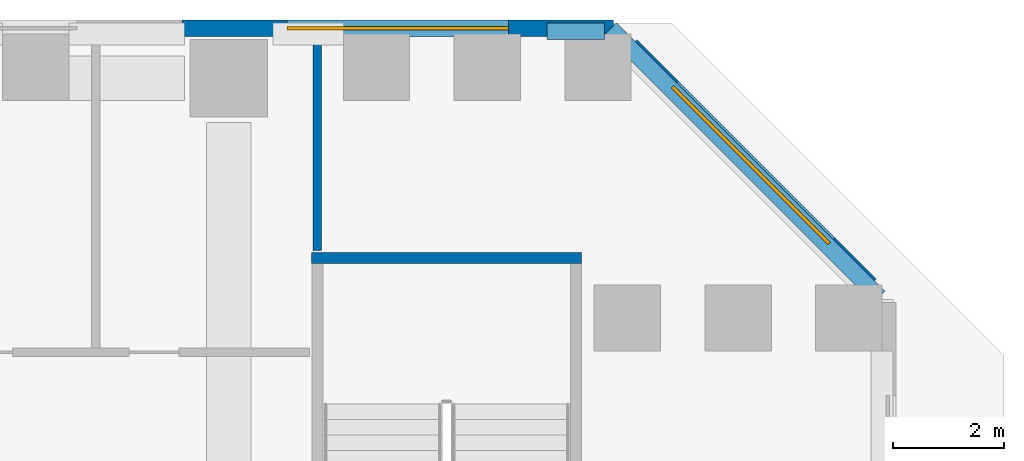
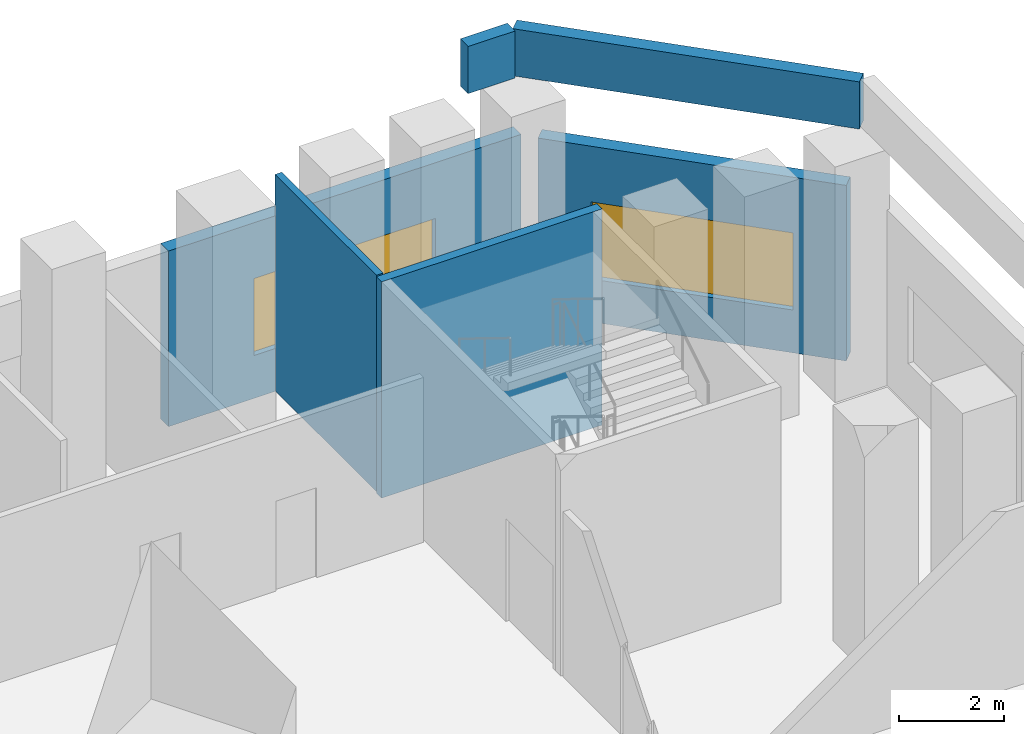
# One storey, part 12 of 22: 6 walls, 2 windows, 2 openings.
"""IFC4 building model written with IfcOpenShell, lengths in metres."""

from ifc_helpers import new_model, si_unit, direction, frame, frame_2d, origin, place, context, subcontext, project, spatial, rectangle, extrude, material, layer, layer_set, type_object, element, fill, save


model = new_model("IFC4")

# Units and contexts
model_context = context("Model", 3, precision=1e-05, world=origin(), true_north=direction((0.0, 1.0)))
body_context = subcontext(model_context, "Body", "Model", "MODEL_VIEW")
ifc_project = project(units=[si_unit("LENGTHUNIT", "METRE"), si_unit("AREAUNIT", "SQUARE_METRE"), si_unit("VOLUMEUNIT", "CUBIC_METRE"), si_unit("PLANEANGLEUNIT", "RADIAN"), si_unit("MASSUNIT", "GRAM", prefix="KILO")], contexts=[model_context])

# Site, building, storey
site_placement = place(None, origin())
site = spatial("IfcSite", under=ifc_project, at=site_placement, CompositionType="ELEMENT")
building_placement = place(site_placement, origin())
building = spatial("IfcBuilding", under=site, at=building_placement, Name="Calabash Gate Tower", CompositionType="ELEMENT")
storey_placement = place(building_placement, frame((0.0, 0.0, 29.0)))
storey = spatial("IfcBuildingStorey", under=building, at=storey_placement, Name="L03", CompositionType="ELEMENT", Elevation=29.0)

# Wall
ifc_material_1 = material(Name="Gypsum board on steel studs, mineral wool", Category="steel")
ifc_layer_1 = layer(ifc_material_1, 0.14990234375)
ifc_layer_set_1 = layer_set([ifc_layer_1], Name="Partition 150 gypsum board")
wall_type_1 = type_object("IfcWallType", Name="Partition 150 gypsum board", PredefinedType="PARTITIONING", material=ifc_layer_set_1)
wall_1_placement = place(storey_placement, frame((33.60009765625, 20.889892578125, 0.0), z_axis=(0.0, 0.0, 1.0), x_axis=(0.0, 1.0, 0.0)))
element("IfcWall", 1, at=wall_1_placement, inside=storey, type_object=wall_type_1, Name="Partition", PredefinedType="PARTITIONING", context=body_context, shape_type="SweptSolid", body=[
    extrude(rectangle(XDim=3.880126953125, YDim=0.14990234375, at=frame_2d((1.93994140625, 0.0))), origin(), (0.0, 0.0, 1.0), 5.050048828125),
])

# Wall, opening, window
ifc_material_2 = material(Name="Terracotta brick masonry, exposed face", Category="masonry")
ifc_layer_2 = layer(ifc_material_2, 0.300048828125)
ifc_layer_set_2 = layer_set([ifc_layer_2], Name="Podium brick wall 300")
wall_type_2 = type_object("IfcWallType", Name="Podium brick wall 300", PredefinedType="SOLIDWALL", material=ifc_layer_set_2)
wall_2_placement = place(storey_placement, frame((43.587646484375, 20.27099609375, 0.0), z_axis=(0.0, 0.0, 1.0), x_axis=(-0.707106781187, 0.707106781187, 0.0)))
wall_2 = element("IfcWall", 2, at=wall_2_placement, inside=storey, type_object=wall_type_2, Name="Podium brick wall L03 3.0.0", PredefinedType="SOLIDWALL", context=body_context, shape_type="SweptSolid", body=[
    extrude(rectangle(XDim=6.104736328125, YDim=0.300048828125, at=frame_2d((3.05224609375, 0.0))), origin(), (0.0, 0.0, 1.0), 4.10009765625),
])
opening_1_placement = place(wall_2_placement, frame((1.05224609375, 0.0, 1.0)))
opening_1 = element("IfcOpeningElement", 3, at=opening_1_placement, cuts=wall_2, Name="Opening WM1", PredefinedType="OPENING", context=body_context, shape_type="SweptSolid", body=[
    extrude(rectangle(XDim=4.0, YDim=1.800048828125, at=frame_2d((2.0, 0.89990234375))), frame((0.0, 0.159912109375, 0.0), z_axis=(0.0, -1.0, 0.0), x_axis=(1.0, 0.0, 0.0)), (0.0, 0.0, 1.0), 0.320068359375),
])
ifc_material_3 = material(Name="Anodised aluminium frame, bronze finish, impact-rated laminated clear glazing", Category="aluminium")
window_type = type_object("IfcWindowType", Name="Window WM1 4000x1800", PartitioningType="TRIPLE_PANEL_VERTICAL", PredefinedType="WINDOW", material=ifc_material_3)
window_1_placement = place(opening_1_placement, origin())
window_1 = element("IfcWindow", 4, at=window_1_placement, inside=storey, type_object=window_type, Name="Meeting room window L03 3.0.0", OverallHeight=1.800048828125, OverallWidth=4.0, PartitioningType="SINGLE_PANEL", PredefinedType="WINDOW", context=body_context, shape_type="SweptSolid", body=[
    extrude(rectangle(XDim=4.0, YDim=1.800048828125, at=frame_2d((2.0, 0.89990234375))), frame((0.0, 0.030029296875, 0.0), z_axis=(0.0, -1.0, 0.0), x_axis=(1.0, 0.0, 0.0)), (0.0, 0.0, 1.0), 0.06005859375),
])
fill(opening_1, window_1)

wall_3_placement = place(storey_placement, frame((38.949951171875, 24.89990234375, 0.0), z_axis=(0.0, 0.0, 1.0), x_axis=(-1.0, 0.0, 0.0)))
wall_3 = element("IfcWall", 5, at=wall_3_placement, inside=storey, type_object=wall_type_2, Name="Podium brick wall L03 4.0.0", PredefinedType="SOLIDWALL", context=body_context, shape_type="SweptSolid", body=[
    extrude(rectangle(XDim=7.7900390625, YDim=0.300048828125, at=frame_2d((3.89501953125, 0.0))), origin(), (0.0, 0.0, 1.0), 4.10009765625),
])
opening_2_placement = place(wall_3_placement, frame((1.89501953125, 0.0, 1.0)))
opening_2 = element("IfcOpeningElement", 6, at=opening_2_placement, cuts=wall_3, Name="Opening WM1", PredefinedType="OPENING", context=body_context, shape_type="SweptSolid", body=[
    extrude(rectangle(XDim=4.0, YDim=1.800048828125, at=frame_2d((2.0, 0.89990234375))), frame((0.0, 0.159912109375, 0.0), z_axis=(0.0, -1.0, 0.0), x_axis=(1.0, 0.0, 0.0)), (0.0, 0.0, 1.0), 0.320068359375),
])
window_2_placement = place(opening_2_placement, origin())
window_2 = element("IfcWindow", 7, at=window_2_placement, inside=storey, type_object=window_type, Name="Meeting room window L03 4.0.0", OverallHeight=1.800048828125, OverallWidth=4.0, PartitioningType="SINGLE_PANEL", PredefinedType="WINDOW", context=body_context, shape_type="SweptSolid", body=[
    extrude(rectangle(XDim=4.0, YDim=1.800048828125, at=frame_2d((2.0, 0.89990234375))), frame((0.0, 0.030029296875, 0.0), z_axis=(0.0, -1.0, 0.0), x_axis=(1.0, 0.0, 0.0)), (0.0, 0.0, 1.0), 0.06005859375),
])
fill(opening_2, window_2)

# Walls
ifc_material_4 = material(Name="Terracotta brick masonry, exposed face", Category="masonry")
ifc_layer_3 = layer(ifc_material_4, 0.300048828125)
ifc_layer_set_3 = layer_set([ifc_layer_3], Name="Podium parapet wall 300")
wall_type_3 = type_object("IfcWallType", Name="Podium parapet wall 300", PredefinedType="PARAPET", material=ifc_layer_set_3)
wall_4_placement = place(storey_placement, frame((43.745361328125, 20.04248046875, 5.5), z_axis=(0.0, 0.0, 1.0), x_axis=(-0.70708898898, 0.707124572946, 0.0)))
element("IfcWall", 8, at=wall_4_placement, inside=storey, type_object=wall_type_3, Name="Podium parapet L03 3.0.0", PredefinedType="PARAPET", context=body_context, shape_type="SweptSolid", body=[
    extrude(rectangle(XDim=6.861083984375, YDim=0.300048828125, at=frame_2d((3.4306640625, 0.0))), origin(), (0.0, 0.0, 1.0), 1.10009765625),
])
wall_5_placement = place(storey_placement, frame((38.7900390625, 24.85009765625, 5.5), z_axis=(0.0, 0.0, 1.0), x_axis=(-1.0, 0.0, 0.0)))
element("IfcWall", 9, at=wall_5_placement, inside=storey, type_object=wall_type_3, Name="Podium parapet L03 4.0.0", PredefinedType="PARAPET", context=body_context, shape_type="SweptSolid", body=[
    extrude(rectangle(XDim=1.0400390625, YDim=0.300048828125, at=frame_2d((0.52001953125, 0.0))), origin(), (0.0, 0.0, 1.0), 1.10009765625),
])
ifc_material_5 = material(Name="Concrete C40/50", Category="concrete")
ifc_layer_4 = layer(ifc_material_5, 0.199951171875)
ifc_layer_set_4 = layer_set([ifc_layer_4], Name="Stair wall 200 Concrete C40/50")
wall_type_4 = type_object("IfcWallType", Name="Stair wall 200 Concrete C40/50", PredefinedType="SOLIDWALL", material=ifc_layer_set_4)
wall_6_placement = place(storey_placement, frame((33.5, 20.75, 0.0), z_axis=(0.0, 0.0, 1.0), x_axis=(1.0, 0.0, 0.0)))
element("IfcWall", 10, at=wall_6_placement, inside=storey, type_object=wall_type_4, Name="Stair wall", PredefinedType="SOLIDWALL", context=body_context, shape_type="SweptSolid", body=[
    extrude(rectangle(XDim=4.8701171875, YDim=0.199951171875, at=frame_2d((2.43505859375, 0.0))), origin(), (0.0, 0.0, 1.0), 5.050048828125),
])

save(model, "model.ifc")
